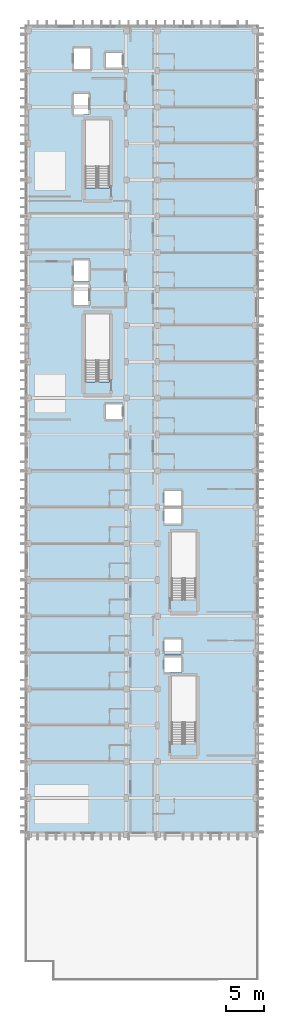
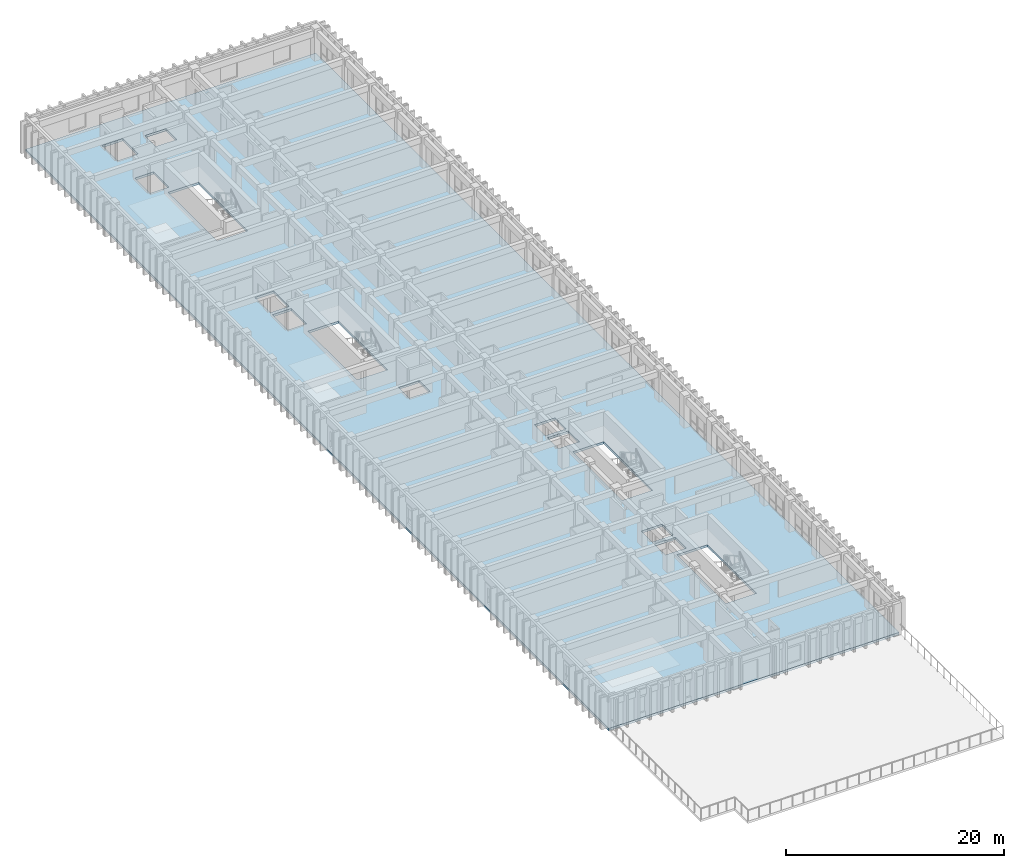
# One storey, part 60 of 82: 1 slab.
"""IFC4 building model written with IfcOpenShell, lengths in metres."""

import ifcopenshell
import ifcopenshell.guid

model = None  # the IFC model being written
_history = None  # IfcOwnerHistory: only IFC2X3 demands one
_inside = {}  # id of a spatial element -> (the spatial element, [elements in it])
_under = {}  # id of a project, library or spatial element -> (it, [spatial elements below it])
_declared = {}  # id of a project -> (the project, [libraries it declares])
_typed = {}  # id of a type object -> (the type object, [elements of that type])
_made_of = {}  # id of a material, layer set ... -> (it, [elements and type objects made of it])


def new_model(schema):
    """Start an empty IFC model of exactly this schema.

    Asked for "IFC4X3", IfcOpenShell would pick the latest addendum, in which some entities
    have other attributes; the version numbers below select the first issue.
    IFC2X3 requires an IfcOwnerHistory on every rooted entity: one is made here for all.
    """
    global model, _history
    if schema == "IFC4X3":
        model = ifcopenshell.file(schema_version=(4, 3, 0, 0))
    else:
        model = ifcopenshell.file(schema=schema)
    _inside.clear()
    _under.clear()
    _declared.clear()
    _typed.clear()
    _made_of.clear()
    _history = None
    if model.schema == "IFC2X3":
        org = make("IfcOrganization", Name="unknown")
        user = make(
            "IfcPersonAndOrganization",
            ThePerson=make("IfcPerson", FamilyName="unknown"),
            TheOrganization=org,
        )
        app = make(
            "IfcApplication",
            ApplicationDeveloper=org,
            Version="unknown",
            ApplicationFullName="unknown",
            ApplicationIdentifier="unknown",
        )
        _history = make(
            "IfcOwnerHistory",
            OwningUser=user,
            OwningApplication=app,
            ChangeAction="ADDED",
            CreationDate=0,
        )
    return model


def make(cls, **values):
    """One entity of the class cls with the attributes given. An attribute that is None is left unset."""
    return model.create_entity(
        cls, **{name: value for name, value in values.items() if value is not None}
    )


def rooted(cls, **values):
    """An entity with a GlobalId (a new one), such as an element, a storey or a relation."""
    return make(cls, GlobalId=ifcopenshell.guid.new(), OwnerHistory=_history, **values)


def si_unit(unit_type, name, prefix=None):
    """IfcSIUnit, for example si_unit("LENGTHUNIT", "METRE", prefix="MILLI")."""
    return make("IfcSIUnit", UnitType=unit_type, Prefix=prefix, Name=name)


def assignment(units):
    """IfcUnitAssignment: the units of a project."""
    return None if units is None else make("IfcUnitAssignment", Units=units)


def point(xyz):
    """IfcCartesianPoint."""
    return None if xyz is None else make("IfcCartesianPoint", Coordinates=xyz)


def direction(xyz):
    """IfcDirection."""
    return None if xyz is None else make("IfcDirection", DirectionRatios=xyz)


def frame(location, z_axis=None, x_axis=None):
    """IfcAxis2Placement3D, a coordinate frame: its origin and axes. An axis left out is left unset."""
    return make(
        "IfcAxis2Placement3D",
        Location=point(location),
        Axis=direction(z_axis),
        RefDirection=direction(x_axis),
    )


def origin():
    """The frame at (0, 0, 0) with its axes left unset."""
    return frame((0.0, 0.0, 0.0))


def place(relative_to, where):
    """IfcLocalPlacement: puts the frame where relative to a parent placement (None: the world)."""
    return make(
        "IfcLocalPlacement", PlacementRelTo=relative_to, RelativePlacement=where
    )


def context(
    kind, dimensions, precision=None, world=None, true_north=None, identifier=None
):
    """IfcGeometricRepresentationContext, for example the 3D "Model" context."""
    return make(
        "IfcGeometricRepresentationContext",
        ContextIdentifier=identifier,
        ContextType=kind,
        CoordinateSpaceDimension=dimensions,
        Precision=precision,
        WorldCoordinateSystem=world,
        TrueNorth=true_north,
    )


def subcontext(parent, identifier, kind, view, scale=None):
    """IfcGeometricRepresentationSubContext, for example "Body" below "Model"."""
    return make(
        "IfcGeometricRepresentationSubContext",
        ContextIdentifier=identifier,
        ContextType=kind,
        ParentContext=parent,
        TargetScale=scale,
        TargetView=view,
    )


def project(units=None, contexts=None):
    """IfcProject with its units and contexts."""
    return rooted(
        "IfcProject",
        Name="project",
        RepresentationContexts=contexts,
        UnitsInContext=assignment(units),
    )


def spatial(cls, under=None, at=None, **own):
    """A site, building, storey or space (cls), placed at a placement, below another one or the project."""
    s = rooted(cls, ObjectPlacement=at, **own)
    if under is not None:
        _under.setdefault(under.id(), (under, []))[1].append(s)
    return s


def polyline(points):
    """IfcPolyline through the points."""
    return make("IfcPolyline", Points=[point(p) for p in points])


def outline(outer, holes=None, kind="AREA"):
    """IfcArbitraryClosedProfileDef: a profile drawn as a closed curve; with holes, ...WithVoids."""
    if holes is None:
        return make("IfcArbitraryClosedProfileDef", ProfileType=kind, OuterCurve=outer)
    return make(
        "IfcArbitraryProfileDefWithVoids",
        ProfileType=kind,
        OuterCurve=outer,
        InnerCurves=holes,
    )


def extrude(swept, where, along, depth):
    """IfcExtrudedAreaSolid: the profile swept, set in the frame where, extruded along a direction by depth."""
    return make(
        "IfcExtrudedAreaSolid",
        SweptArea=swept,
        Position=where,
        ExtrudedDirection=direction(along),
        Depth=depth,
    )


def shape(context_of_items, identifier, shape_type, items):
    """IfcShapeRepresentation: the items that make up one representation, for example the "Body"."""
    return make(
        "IfcShapeRepresentation",
        ContextOfItems=context_of_items,
        RepresentationIdentifier=identifier,
        RepresentationType=shape_type,
        Items=items,
    )


def material(Name=None, Category=None):
    """IfcMaterial."""
    return make("IfcMaterial", Name=Name, Category=Category)


def layer(
    of_material, thickness, ventilated=None, Name=None, Category=None, Priority=None
):
    """IfcMaterialLayer: one layer of a wall or slab, of a material (None: an air gap)."""
    return make(
        "IfcMaterialLayer",
        Material=of_material,
        LayerThickness=thickness,
        IsVentilated=ventilated,
        Name=Name,
        Category=Category,
        Priority=Priority,
    )


def layer_set(layers, Name=None):
    """IfcMaterialLayerSet."""
    return make("IfcMaterialLayerSet", MaterialLayers=layers, LayerSetName=Name)


def made_of(thing, what):
    """Note that an element or type object is made of a material, layer set ...; save() writes the relation."""
    if what is not None:
        _made_of.setdefault(what.id(), (what, []))[1].append(thing)
    return thing


def type_object(cls, material=None, **own):
    """A type object (cls), such as IfcWallType, which elements share."""
    return made_of(rooted(cls, **own), material)


def element(
    cls,
    number,
    at=None,
    inside=None,
    cuts=None,
    type_object=None,
    material=None,
    context=None,
    identifier="Body",
    shape_type=None,
    held_by="IfcProductDefinitionShape",
    body=None,
    shapes=None,
    **own,
):
    """One element of the class cls, such as IfcWall. Its Tag is "e" and its number.

    at: its placement. inside: the storey or other place that contains it. cuts: it is an
    opening in that element (IfcRelVoidsElement). A single representation is given by context,
    identifier, shape_type and body (its items); several are given by shapes. held_by: the class
    of the entity that holds the representations. save() writes the other relations.
    """
    e = rooted(cls, Tag="e%d" % number, ObjectPlacement=at, **own)
    if body is not None:
        shapes = [shape(context, identifier, shape_type, body)]
    if shapes is not None:
        e.Representation = make(held_by, Representations=shapes)
    if inside is not None:
        _inside.setdefault(inside.id(), (inside, []))[1].append(e)
    if cuts is not None:
        rooted(
            "IfcRelVoidsElement", RelatingBuildingElement=cuts, RelatedOpeningElement=e
        )
    if type_object is not None:
        _typed.setdefault(type_object.id(), (type_object, []))[1].append(e)
    return made_of(e, material)


def aggregate(whole, parts):
    """IfcRelAggregates: a whole, such as a stair, and the parts it consists of."""
    return rooted("IfcRelAggregates", RelatingObject=whole, RelatedObjects=parts)


def save(model, path):
    """Write the relations noted so far, then the file.

    IfcRelAggregates (storeys below a building ...), IfcRelContainedInSpatialStructure (elements
    in a storey), IfcRelDefinesByType, IfcRelAssociatesMaterial and IfcRelDeclares: one each for
    every whole, place, type object, material and project.
    """
    for whole, parts in _under.values():
        aggregate(whole, parts)
    for where, things in _inside.values():
        rooted(
            "IfcRelContainedInSpatialStructure",
            RelatedElements=things,
            RelatingStructure=where,
        )
    for kind, things in _typed.values():
        rooted("IfcRelDefinesByType", RelatedObjects=things, RelatingType=kind)
    for what, things in _made_of.values():
        rooted("IfcRelAssociatesMaterial", RelatedObjects=things, RelatingMaterial=what)
    for by, libraries in _declared.values():
        rooted("IfcRelDeclares", RelatingContext=by, RelatedDefinitions=libraries)
    model.write(path)


model = new_model("IFC4")

# Units and contexts
model_context = context("Model", 3, precision=1e-05, world=origin(), true_north=direction((0.0, 1.0)))
body_context = subcontext(model_context, "Body", "Model", "MODEL_VIEW")
ifc_project = project(units=[si_unit("LENGTHUNIT", "METRE"), si_unit("AREAUNIT", "SQUARE_METRE"), si_unit("VOLUMEUNIT", "CUBIC_METRE"), si_unit("PLANEANGLEUNIT", "RADIAN"), si_unit("MASSUNIT", "GRAM", prefix="KILO")], contexts=[model_context])

# Site, building, storey
site_placement = place(None, origin())
site = spatial("IfcSite", under=ifc_project, at=site_placement, CompositionType="ELEMENT")
building_placement = place(site_placement, origin())
building = spatial("IfcBuilding", under=site, at=building_placement, Name="Nakhvara Creek Congress Hotel", CompositionType="ELEMENT")
storey_placement = place(building_placement, frame((0.0, 0.0, 21.0)))
storey = spatial("IfcBuildingStorey", under=building, at=storey_placement, Name="L04", CompositionType="ELEMENT", Elevation=21.0)

# Slab
ifc_material = material(Name="Concrete C40/50", Category="concrete")
ifc_layer = layer(ifc_material, 0.260009765625)
ifc_layer_set = layer_set([ifc_layer], Name="Concrete C40/50")
slab_type = type_object("IfcSlabType", Name="SL-FLR-260", PredefinedType="FLOOR", material=ifc_layer_set)
slab_placement = place(storey_placement, frame((0.0, 0.0, -0.260009765625)))
element("IfcSlab", 1, at=slab_placement, inside=storey, type_object=slab_type, Name="Structural Slab SLB-L04-V5", PredefinedType="FLOOR", context=body_context, shape_type="SweptSolid", body=[
    extrude(outline(polyline([(149.050048828125, 126.0), (179.75, 126.0), (179.75, 19.199951171875), (149.050048828125, 19.199951171875), (149.050048828125, 126.0)]), holes=[polyline([(161.800048828125, 74.0), (161.800048828125, 76.0), (159.60009765625, 76.0), (159.60009765625, 74.0), (161.800048828125, 74.0)]), polyline([(160.14990234375, 78.93994140625), (160.14990234375, 87.89990234375), (156.919921875, 87.89990234375), (156.919921875, 78.93994140625), (160.14990234375, 78.93994140625)]), polyline([(155.39990234375, 89.0), (157.39990234375, 89.0), (157.39990234375, 91.800048828125), (155.39990234375, 91.800048828125), (155.39990234375, 89.0)]), polyline([(155.39990234375, 92.199951171875), (157.39990234375, 92.199951171875), (157.39990234375, 95.0), (155.39990234375, 95.0), (155.39990234375, 92.199951171875)]), polyline([(160.14990234375, 104.5400390625), (160.14990234375, 113.5), (156.919921875, 113.5), (156.919921875, 104.5400390625), (160.14990234375, 104.5400390625)]), polyline([(155.39990234375, 114.199951171875), (157.39990234375, 114.199951171875), (157.39990234375, 117.0), (155.39990234375, 117.0), (155.39990234375, 114.199951171875)]), polyline([(155.39990234375, 120.199951171875), (157.60009765625, 120.199951171875), (157.60009765625, 123.0), (155.39990234375, 123.0), (155.39990234375, 120.199951171875)]), polyline([(171.550048828125, 40.10009765625), (168.320068359375, 40.10009765625), (168.320068359375, 31.139892578125), (171.550048828125, 31.139892578125), (171.550048828125, 40.10009765625)]), polyline([(167.39990234375, 40.60009765625), (169.60009765625, 40.60009765625), (169.60009765625, 42.60009765625), (167.39990234375, 42.60009765625), (167.39990234375, 40.60009765625)]), polyline([(167.39990234375, 43.0), (169.60009765625, 43.0), (169.60009765625, 45.0), (167.39990234375, 45.0), (167.39990234375, 43.0)]), polyline([(171.550048828125, 50.139892578125), (171.550048828125, 59.10009765625), (168.320068359375, 59.10009765625), (168.320068359375, 50.139892578125), (171.550048828125, 50.139892578125)]), polyline([(167.39990234375, 60.199951171875), (169.60009765625, 60.199951171875), (169.60009765625, 62.199951171875), (167.39990234375, 62.199951171875), (167.39990234375, 60.199951171875)]), polyline([(167.39990234375, 62.60009765625), (169.60009765625, 62.60009765625), (169.60009765625, 64.60009765625), (167.39990234375, 64.60009765625), (167.39990234375, 62.60009765625)]), polyline([(159.60009765625, 120.39990234375), (161.800048828125, 120.39990234375), (161.800048828125, 122.39990234375), (159.60009765625, 122.39990234375), (159.60009765625, 120.39990234375)])]), origin(), (0.0, 0.0, 1.0), 0.260009765625),
])

save(model, "model.ifc")
